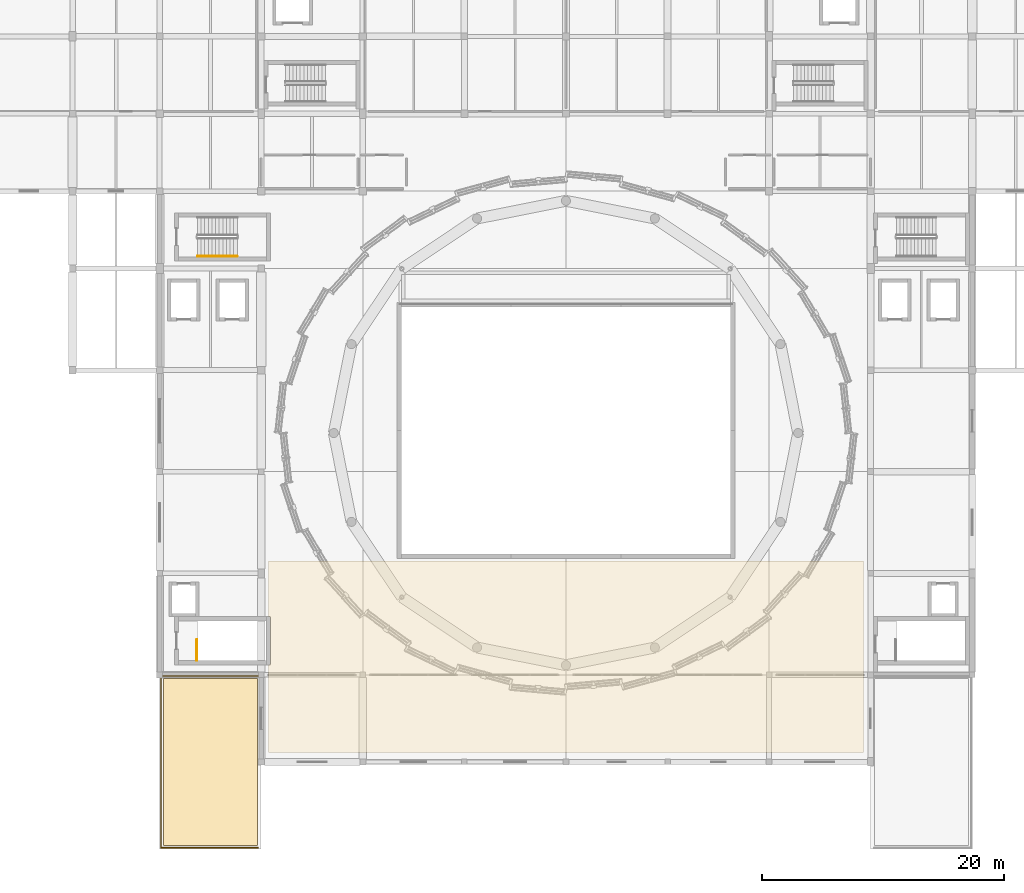
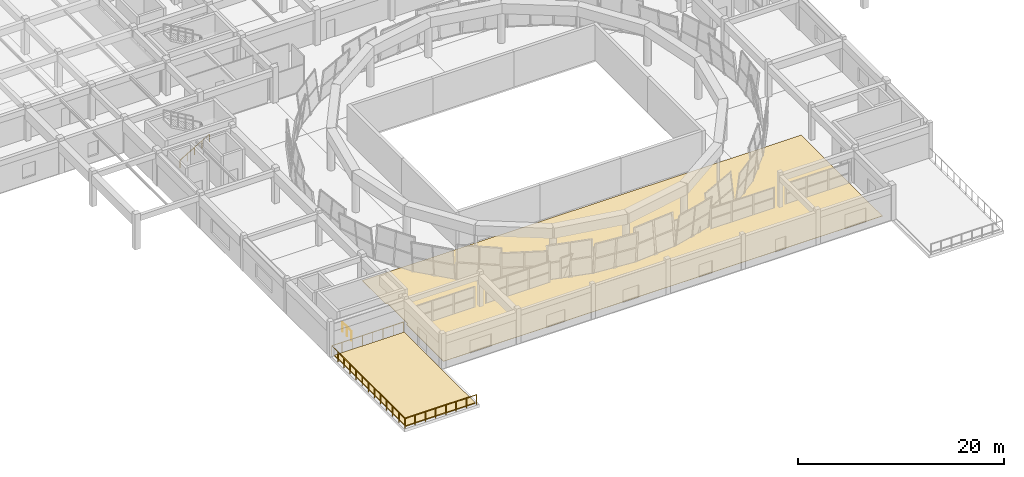
# One storey, part 34 of 40: 3 railings, 2 coverings.
"""IFC4 building model written with IfcOpenShell, lengths in metres."""

from ifc_helpers import new_model, si_unit, direction, frame, origin, origin_2d, place, context, subcontext, project, spatial, polyline, circle, outline, extrude, material, layer, layer_set, type_object, element, save


model = new_model("IFC4")

# Units and contexts
model_context = context("Model", 3, precision=1e-05, world=origin(), true_north=direction((0.0, 1.0)))
body_context = subcontext(model_context, "Body", "Model", "MODEL_VIEW")
ifc_project = project(units=[si_unit("LENGTHUNIT", "METRE"), si_unit("AREAUNIT", "SQUARE_METRE"), si_unit("VOLUMEUNIT", "CUBIC_METRE"), si_unit("PLANEANGLEUNIT", "RADIAN"), si_unit("MASSUNIT", "GRAM", prefix="KILO")], contexts=[model_context])

# Site, building, storey
site_placement = place(None, origin())
site = spatial("IfcSite", under=ifc_project, at=site_placement, CompositionType="ELEMENT")
building_placement = place(site_placement, origin())
building = spatial("IfcBuilding", under=site, at=building_placement, Name="Korsvaeld Concert Hall", CompositionType="ELEMENT")
storey_placement = place(building_placement, frame((0.0, 0.0, 13.199951171875)))
storey = spatial("IfcBuildingStorey", under=building, at=storey_placement, Name="L03", CompositionType="ELEMENT", Elevation=13.199951171875)

# Coverings
ifc_material_1 = material(Name="Sprung European oak stage and foyer flooring")
ifc_layer_1 = layer(ifc_material_1, 0.034912109375)
ifc_layer_set_1 = layer_set([ifc_layer_1], Name="Sprung European oak stage and foyer flooring")
covering_type_1 = type_object("IfcCoveringType", Name="COV-FLOOR-OAK", PredefinedType="FLOORING", material=ifc_layer_set_1)
covering_1_placement = place(storey_placement, origin())
element("IfcCovering", 1, at=covering_1_placement, inside=storey, type_object=covering_type_1, Name="Sprung oak acoustic floor L03-03", PredefinedType="FLOORING", context=body_context, shape_type="SweptSolid", body=[
    extrude(outline(polyline([(59.39990234375, 52.60009765625), (108.60009765625, 52.60009765625), (108.60009765625, 36.800048828125), (59.39990234375, 36.800048828125), (59.39990234375, 44.02001953125), (59.41748046875, 44.02099609375), (59.43505859375, 44.0234375), (59.452392578125, 44.02783203125), (59.468994140625, 44.03369140625), (59.48486328125, 44.041259765625), (59.5, 44.05029296875), (59.51416015625, 44.060791015625), (59.52734375, 44.07275390625), (59.5390625, 44.085693359375), (59.5498046875, 44.10009765625), (59.55859375, 44.114990234375), (59.56640625, 44.131103515625), (59.572265625, 44.147705078125), (59.576416015625, 44.164794921875), (59.5791015625, 44.182373046875), (59.580078125, 44.199951171875), (59.580078125, 47.840087890625), (59.5791015625, 47.857666015625), (59.576416015625, 47.875), (59.572265625, 47.892333984375), (59.56640625, 47.908935546875), (59.55859375, 47.9248046875), (59.5498046875, 47.93994140625), (59.5390625, 47.9541015625), (59.52734375, 47.96728515625), (59.51416015625, 47.97900390625), (59.5, 47.98974609375), (59.48486328125, 47.998779296875), (59.468994140625, 48.00634765625), (59.452392578125, 48.01220703125), (59.43505859375, 48.0166015625), (59.41748046875, 48.01904296875), (59.39990234375, 48.02001953125), (59.39990234375, 52.60009765625)])), origin(), (0.0, 0.0, 1.0), 0.03515625),
])
ifc_material_2 = material(Name="Mughal-garden sedum planted green roof substrate")
ifc_layer_2 = layer(ifc_material_2, 0.1201171875)
ifc_layer_set_2 = layer_set([ifc_layer_2], Name="Mughal-garden sedum planted green roof substrate")
covering_type_2 = type_object("IfcCoveringType", Name="COV-ROOF-GREEN", PredefinedType="ROOFING", material=ifc_layer_set_2)
covering_2_placement = place(storey_placement, origin())
element("IfcCovering", 2, at=covering_2_placement, inside=storey, type_object=covering_type_2, Name="Mughal-garden green roof planting TER_L03_S", PredefinedType="ROOFING", context=body_context, shape_type="SweptSolid", body=[
    extrude(outline(polyline([(58.5, 29.10009765625), (58.5, 42.89990234375), (50.699951171875, 42.89990234375), (50.699951171875, 29.10009765625), (58.5, 29.10009765625)])), origin(), (0.0, 0.0, 1.0), 0.1201171875),
])

# Railings
ifc_material_3 = material(Name="Powder-coated steel and bronze stair guardrail", Category="steel")
railing_type_1 = type_object("IfcRailingType", Name="RL-STAIR-GUARD-120", PredefinedType="GUARDRAIL", material=ifc_material_3)
railing_1_placement = place(storey_placement, frame((53.469970703125, 44.3701171875, 0.0)))
element("IfcRailing", 3, at=railing_1_placement, inside=storey, type_object=railing_type_1, Name="L03 ST-K3 top well guard 1", PredefinedType="GUARDRAIL", context=body_context, shape_type="SweptSolid", body=[
    extrude(circle(Radius=0.02392578125, at=origin_2d()), frame((0.0, 0.0, 1.076171875), z_axis=(0.0, 1.0, 0.0), x_axis=(-1.0, 0.0, 0.0)), (0.0, 0.0, 1.0), 1.75),
    extrude(circle(Radius=0.02099609375, at=origin_2d()), origin(), (0.0, 0.0, 1.0), 1.052001953125),
    extrude(circle(Radius=0.02099609375, at=origin_2d()), frame((0.0, 0.875, 0.0)), (0.0, 0.0, 1.0), 1.052001953125),
    extrude(circle(Radius=0.02099609375, at=origin_2d()), frame((0.0, 1.75, 0.0)), (0.0, 0.0, 1.0), 1.052001953125),
])
ifc_material_4 = material(Name="European oak and bronze stair handrail")
railing_type_2 = type_object("IfcRailingType", Name="RL-STAIR-HAND-90", PredefinedType="HANDRAIL", material=ifc_material_4)
railing_2_placement = place(storey_placement, frame((53.52001953125, 77.820068359375, 0.175048828125)))
element("IfcRailing", 4, at=railing_2_placement, inside=storey, type_object=railing_type_2, Name="L03 ST-K1 stair handrail 1", PredefinedType="HANDRAIL", context=body_context, shape_type="SweptSolid", body=[
    extrude(circle(Radius=0.02392578125, at=origin_2d()), frame((0.0, 0.0, 0.8759765625), z_axis=(0.863776583165, 0.0, 0.503874998761), x_axis=(0.0, 1.0, 0.0)), (0.0, 0.0, 1.0), 3.820556640625),
    extrude(circle(Radius=0.02099609375, at=origin_2d()), origin(), (0.0, 0.0, 1.0), 0.851806640625),
    extrude(circle(Radius=0.02099609375, at=origin_2d()), frame((0.824951171875, 0.0, 0.481201171875)), (0.0, 0.0, 1.0), 0.851806640625),
    extrude(circle(Radius=0.02099609375, at=origin_2d()), frame((1.64990234375, 0.0, 0.96240234375)), (0.0, 0.0, 1.0), 0.851806640625),
    extrude(circle(Radius=0.02099609375, at=origin_2d()), frame((2.47509765625, 0.0, 1.44384765625)), (0.0, 0.0, 1.0), 0.851806640625),
    extrude(circle(Radius=0.02099609375, at=origin_2d()), frame((3.300048828125, 0.0, 1.925048828125)), (0.0, 0.0, 1.0), 0.851806640625),
])
ifc_material_5 = material(Name="Anodised architectural bronze guardrail")
railing_type_3 = type_object("IfcRailingType", Name="RL-TERR-GUARD-120", PredefinedType="GUARDRAIL", material=ifc_material_5)
railing_3_placement = place(storey_placement, frame((58.5400390625, 28.89990234375, 0.0)))
element("IfcRailing", 5, at=railing_3_placement, inside=storey, type_object=railing_type_3, Name="Planted terrace bronze guardrail TER_L03_S", PredefinedType="GUARDRAIL", context=body_context, shape_type="SweptSolid", body=[
    extrude(circle(Radius=0.02392578125, at=origin_2d()), frame((0.0, 0.0, 1.17578125), z_axis=(-1.0, 0.0, 0.0), x_axis=(0.0, -1.0, 0.0)), (0.0, 0.0, 1.0), 8.0400390625),
    extrude(circle(Radius=0.02392578125, at=origin_2d()), frame((-8.0400390625, 0.0, 1.17578125), z_axis=(0.0, 1.0, 0.0), x_axis=(-1.0, 0.0, 0.0)), (0.0, 0.0, 1.0), 14.2001953125),
    extrude(circle(Radius=0.02392578125, at=origin_2d()), frame((-8.0400390625, 14.2001953125, 1.17578125), z_axis=(1.0, 0.0, 0.0), x_axis=(0.0, 1.0, 0.0)), (0.0, 0.0, 1.0), 8.0400390625),
    extrude(circle(Radius=0.02099609375, at=origin_2d()), origin(), (0.0, 0.0, 1.0), 1.15185546875),
    extrude(circle(Radius=0.02099609375, at=origin_2d()), frame((-1.148681640625, 0.0, 0.0)), (0.0, 0.0, 1.0), 1.15185546875),
    extrude(circle(Radius=0.02099609375, at=origin_2d()), frame((-2.297119140625, 0.0, 0.0)), (0.0, 0.0, 1.0), 1.15185546875),
    extrude(circle(Radius=0.02099609375, at=origin_2d()), frame((-3.44580078125, 0.0, 0.0)), (0.0, 0.0, 1.0), 1.15185546875),
    extrude(circle(Radius=0.02099609375, at=origin_2d()), frame((-4.59423828125, 0.0, 0.0)), (0.0, 0.0, 1.0), 1.15185546875),
    extrude(circle(Radius=0.02099609375, at=origin_2d()), frame((-5.742919921875, 0.0, 0.0)), (0.0, 0.0, 1.0), 1.15185546875),
    extrude(circle(Radius=0.02099609375, at=origin_2d()), frame((-6.891357421875, 0.0, 0.0)), (0.0, 0.0, 1.0), 1.15185546875),
    extrude(circle(Radius=0.02099609375, at=origin_2d()), frame((-8.0400390625, 0.0, 0.0)), (0.0, 0.0, 1.0), 1.15185546875),
    extrude(circle(Radius=0.02099609375, at=origin_2d()), frame((-8.0400390625, 1.183349609375, 0.0)), (0.0, 0.0, 1.0), 1.15185546875),
    extrude(circle(Radius=0.02099609375, at=origin_2d()), frame((-8.0400390625, 2.36669921875, 0.0)), (0.0, 0.0, 1.0), 1.15185546875),
    extrude(circle(Radius=0.02099609375, at=origin_2d()), frame((-8.0400390625, 3.550048828125, 0.0)), (0.0, 0.0, 1.0), 1.15185546875),
    extrude(circle(Radius=0.02099609375, at=origin_2d()), frame((-8.0400390625, 4.7333984375, 0.0)), (0.0, 0.0, 1.0), 1.15185546875),
    extrude(circle(Radius=0.02099609375, at=origin_2d()), frame((-8.0400390625, 5.916748046875, 0.0)), (0.0, 0.0, 1.0), 1.15185546875),
    extrude(circle(Radius=0.02099609375, at=origin_2d()), frame((-8.0400390625, 7.10009765625, 0.0)), (0.0, 0.0, 1.0), 1.15185546875),
    extrude(circle(Radius=0.02099609375, at=origin_2d()), frame((-8.0400390625, 8.283447265625, 0.0)), (0.0, 0.0, 1.0), 1.15185546875),
    extrude(circle(Radius=0.02099609375, at=origin_2d()), frame((-8.0400390625, 9.466796875, 0.0)), (0.0, 0.0, 1.0), 1.15185546875),
    extrude(circle(Radius=0.02099609375, at=origin_2d()), frame((-8.0400390625, 10.650146484375, 0.0)), (0.0, 0.0, 1.0), 1.15185546875),
    extrude(circle(Radius=0.02099609375, at=origin_2d()), frame((-8.0400390625, 11.83349609375, 0.0)), (0.0, 0.0, 1.0), 1.15185546875),
    extrude(circle(Radius=0.02099609375, at=origin_2d()), frame((-8.0400390625, 13.016845703125, 0.0)), (0.0, 0.0, 1.0), 1.15185546875),
    extrude(circle(Radius=0.02099609375, at=origin_2d()), frame((-8.0400390625, 14.2001953125, 0.0)), (0.0, 0.0, 1.0), 1.15185546875),
    extrude(circle(Radius=0.02099609375, at=origin_2d()), frame((-6.891357421875, 14.2001953125, 0.0)), (0.0, 0.0, 1.0), 1.15185546875),
    extrude(circle(Radius=0.02099609375, at=origin_2d()), frame((-5.742919921875, 14.2001953125, 0.0)), (0.0, 0.0, 1.0), 1.15185546875),
    extrude(circle(Radius=0.02099609375, at=origin_2d()), frame((-4.59423828125, 14.2001953125, 0.0)), (0.0, 0.0, 1.0), 1.15185546875),
    extrude(circle(Radius=0.02099609375, at=origin_2d()), frame((-3.44580078125, 14.2001953125, 0.0)), (0.0, 0.0, 1.0), 1.15185546875),
    extrude(circle(Radius=0.02099609375, at=origin_2d()), frame((-2.297119140625, 14.2001953125, 0.0)), (0.0, 0.0, 1.0), 1.15185546875),
    extrude(circle(Radius=0.02099609375, at=origin_2d()), frame((-1.148681640625, 14.2001953125, 0.0)), (0.0, 0.0, 1.0), 1.15185546875),
    extrude(circle(Radius=0.02099609375, at=origin_2d()), frame((0.0, 14.2001953125, 0.0)), (0.0, 0.0, 1.0), 1.15185546875),
])

save(model, "model.ifc")
